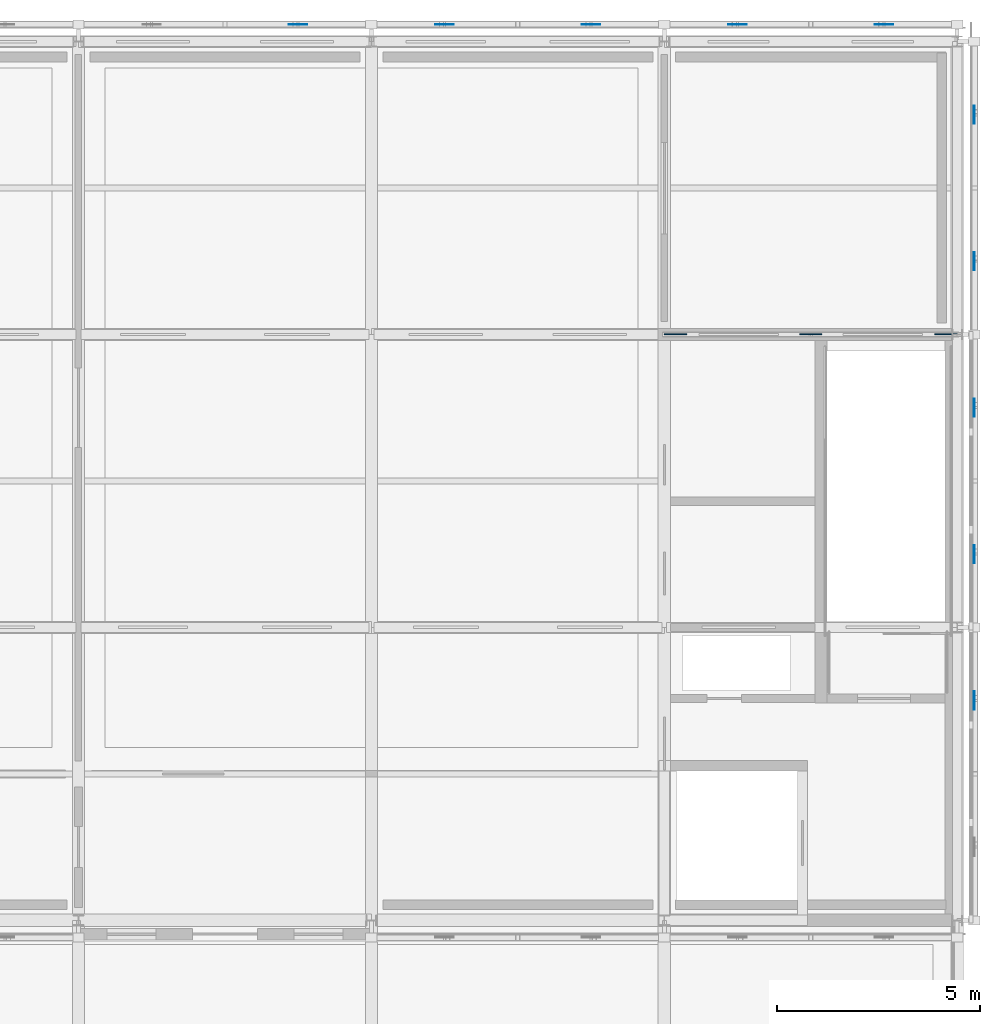
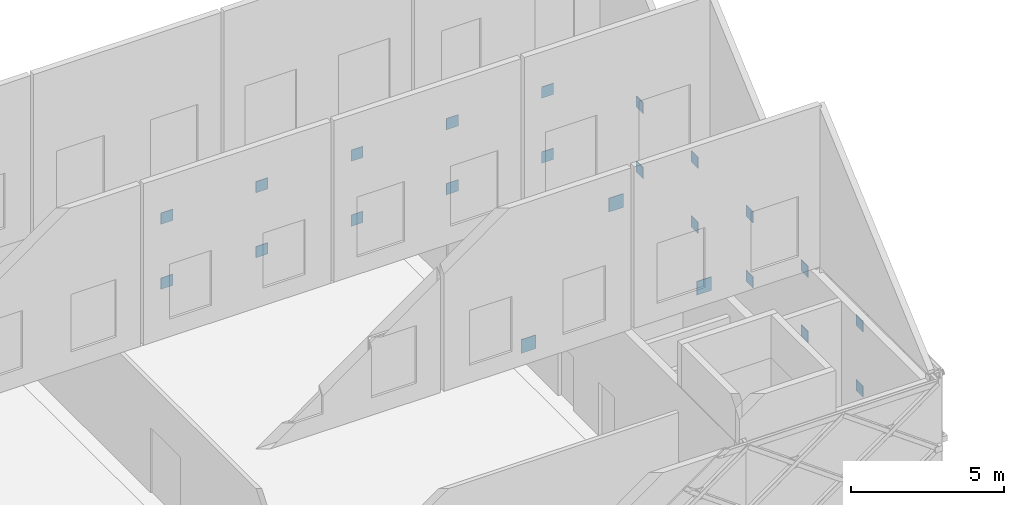
# One storey, part 24 of 31: 23 plates.
"""IFC4 building model written with IfcOpenShell, lengths in metres."""

from ifc_helpers import new_model, si_unit, direction, frame, origin, origin_2d, place, context, subcontext, project, spatial, rectangle, extrude, material, layer, layer_set, type_object, element, save


model = new_model("IFC4")

# Units and contexts
model_context = context("Model", 3, precision=1e-05, world=origin(), true_north=direction((0.0, 1.0)))
body_context = subcontext(model_context, "Body", "Model", "MODEL_VIEW")
ifc_project = project(units=[si_unit("LENGTHUNIT", "METRE"), si_unit("AREAUNIT", "SQUARE_METRE"), si_unit("VOLUMEUNIT", "CUBIC_METRE"), si_unit("PLANEANGLEUNIT", "RADIAN"), si_unit("MASSUNIT", "GRAM", prefix="KILO")], contexts=[model_context])

# Site, building, storey
site_placement = place(None, origin())
site = spatial("IfcSite", under=ifc_project, at=site_placement, CompositionType="ELEMENT")
building_placement = place(site_placement, origin())
building = spatial("IfcBuilding", under=site, at=building_placement, Name="Zlatovets Crest Museum", CompositionType="ELEMENT")
storey_placement = place(building_placement, frame((0.0, 0.0, 25.199951171875)))
storey = spatial("IfcBuildingStorey", under=building, at=storey_placement, Name="L05", CompositionType="ELEMENT", Elevation=25.199951171875)

# Plates
ifc_material = material(Name="Structural steel S355J2", Category="steel")
ifc_layer_1 = layer(ifc_material, 0.02490234375)
ifc_layer_set_1 = layer_set([ifc_layer_1], Name="Structural steel S355J2")
plate_type_1 = type_object("IfcPlateType", Name="Gusset_GP-01", PredefinedType="USERDEFINED", material=ifc_layer_set_1)
for number, where, z_axis, x_axis, name in (
    (1, (101.080078125, 108.0, 0.0048828125), (0.0, 0.0, 1.0), (1.0, 0.0, 0.0), "V1 L05 Brace End Gusset Plate GP-01"),
    (2, (107.719970703125, 108.0, 0.0048828125), (0.0, 0.0, 1.0), (1.0, 0.0, 0.0), "V1 L05 Brace End Gusset Plate GP-01"),
    (3, (104.39990234375, 108.0, 4.4951171875), (0.0, 0.0, 1.0), (1.0, 0.0, 0.0), "V1 L05 Brace End Gusset Plate GP-01"),
):
    element("IfcPlate", number, at=place(storey_placement, frame(where, z_axis=z_axis, x_axis=x_axis)), inside=storey, type_object=plate_type_1, Name=name, ObjectType="GUSSET", PredefinedType="USERDEFINED", context=body_context, shape_type="SweptSolid", body=[
        extrude(rectangle(XDim=0.550048828125, YDim=0.02490234375, at=origin_2d()), origin(), (0.0, 0.0, 1.0), 0.550048828125),
    ])
ifc_layer_2 = layer(ifc_material, 0.02001953125)
ifc_layer_set_2 = layer_set([ifc_layer_2], Name="Structural steel S355J2")
plate_type_2 = type_object("IfcPlateType", Name="Gusset_GP-04", PredefinedType="USERDEFINED", material=ifc_layer_set_2)
for number, where, z_axis, x_axis, name in (
    (4, (108.419921875, 99.0, 1.17529296875), (0.0, 0.0, 1.0), (1.0, 0.0, 0.0), "X-Brace Crossing Node Gusset Plate GP-04"),
    (5, (108.419921875, 99.0, 3.77490234375), (0.0, 0.0, 1.0), (1.0, 0.0, 0.0), "X-Brace Crossing Node Gusset Plate GP-04"),
    (6, (108.419921875, 102.60009765625, 1.17529296875), (0.0, 0.0, 1.0), (1.0, 0.0, 0.0), "X-Brace Crossing Node Gusset Plate GP-04"),
    (7, (108.419921875, 106.199951171875, 1.17529296875), (0.0, 0.0, 1.0), (1.0, 0.0, 0.0), "X-Brace Crossing Node Gusset Plate GP-04"),
    (8, (108.419921875, 102.60009765625, 3.77490234375), (0.0, 0.0, 1.0), (1.0, 0.0, 0.0), "X-Brace Crossing Node Gusset Plate GP-04"),
    (9, (108.419921875, 106.199951171875, 3.77490234375), (0.0, 0.0, 1.0), (1.0, 0.0, 0.0), "X-Brace Crossing Node Gusset Plate GP-04"),
    (10, (108.419921875, 109.800048828125, 1.17529296875), (0.0, 0.0, 1.0), (1.0, 0.0, 0.0), "X-Brace Crossing Node Gusset Plate GP-04"),
    (11, (108.419921875, 113.39990234375, 1.17529296875), (0.0, 0.0, 1.0), (1.0, 0.0, 0.0), "X-Brace Crossing Node Gusset Plate GP-04"),
    (12, (108.419921875, 109.800048828125, 3.77490234375), (0.0, 0.0, 1.0), (1.0, 0.0, 0.0), "X-Brace Crossing Node Gusset Plate GP-04"),
    (13, (108.419921875, 113.39990234375, 3.77490234375), (0.0, 0.0, 1.0), (1.0, 0.0, 0.0), "X-Brace Crossing Node Gusset Plate GP-04"),
):
    element("IfcPlate", number, at=place(storey_placement, frame(where, z_axis=z_axis, x_axis=x_axis)), inside=storey, type_object=plate_type_2, Name=name, ObjectType="GUSSET", PredefinedType="USERDEFINED", context=body_context, shape_type="SweptSolid", body=[
        extrude(rectangle(XDim=0.02001953125, YDim=0.449951171875, at=origin_2d()), origin(), (0.0, 0.0, 1.0), 0.449951171875),
    ])
for number, where, z_axis, x_axis, name in (
    (14, (106.199951171875, 115.6201171875, 1.17529296875), (0.0, 0.0, 1.0), (1.0, 0.0, 0.0), "X-Brace Crossing Node Gusset Plate GP-04"),
    (15, (102.60009765625, 115.6201171875, 1.17529296875), (0.0, 0.0, 1.0), (1.0, 0.0, 0.0), "X-Brace Crossing Node Gusset Plate GP-04"),
    (16, (106.199951171875, 115.6201171875, 3.77490234375), (0.0, 0.0, 1.0), (1.0, 0.0, 0.0), "X-Brace Crossing Node Gusset Plate GP-04"),
    (17, (102.60009765625, 115.6201171875, 3.77490234375), (0.0, 0.0, 1.0), (1.0, 0.0, 0.0), "X-Brace Crossing Node Gusset Plate GP-04"),
    (18, (99.0, 115.6201171875, 1.17529296875), (0.0, 0.0, 1.0), (1.0, 0.0, 0.0), "X-Brace Crossing Node Gusset Plate GP-04"),
    (19, (95.39990234375, 115.6201171875, 1.17529296875), (0.0, 0.0, 1.0), (1.0, 0.0, 0.0), "X-Brace Crossing Node Gusset Plate GP-04"),
    (20, (99.0, 115.6201171875, 3.77490234375), (0.0, 0.0, 1.0), (1.0, 0.0, 0.0), "X-Brace Crossing Node Gusset Plate GP-04"),
    (21, (95.39990234375, 115.6201171875, 3.77490234375), (0.0, 0.0, 1.0), (1.0, 0.0, 0.0), "X-Brace Crossing Node Gusset Plate GP-04"),
    (22, (91.800048828125, 115.6201171875, 1.17529296875), (0.0, 0.0, 1.0), (1.0, 0.0, 0.0), "X-Brace Crossing Node Gusset Plate GP-04"),
    (23, (91.800048828125, 115.6201171875, 3.77490234375), (0.0, 0.0, 1.0), (1.0, 0.0, 0.0), "X-Brace Crossing Node Gusset Plate GP-04"),
):
    element("IfcPlate", number, at=place(storey_placement, frame(where, z_axis=z_axis, x_axis=x_axis)), inside=storey, type_object=plate_type_2, Name=name, ObjectType="GUSSET", PredefinedType="USERDEFINED", context=body_context, shape_type="SweptSolid", body=[
        extrude(rectangle(XDim=0.449951171875, YDim=0.02001953125, at=origin_2d()), origin(), (0.0, 0.0, 1.0), 0.449951171875),
    ])

save(model, "model.ifc")
